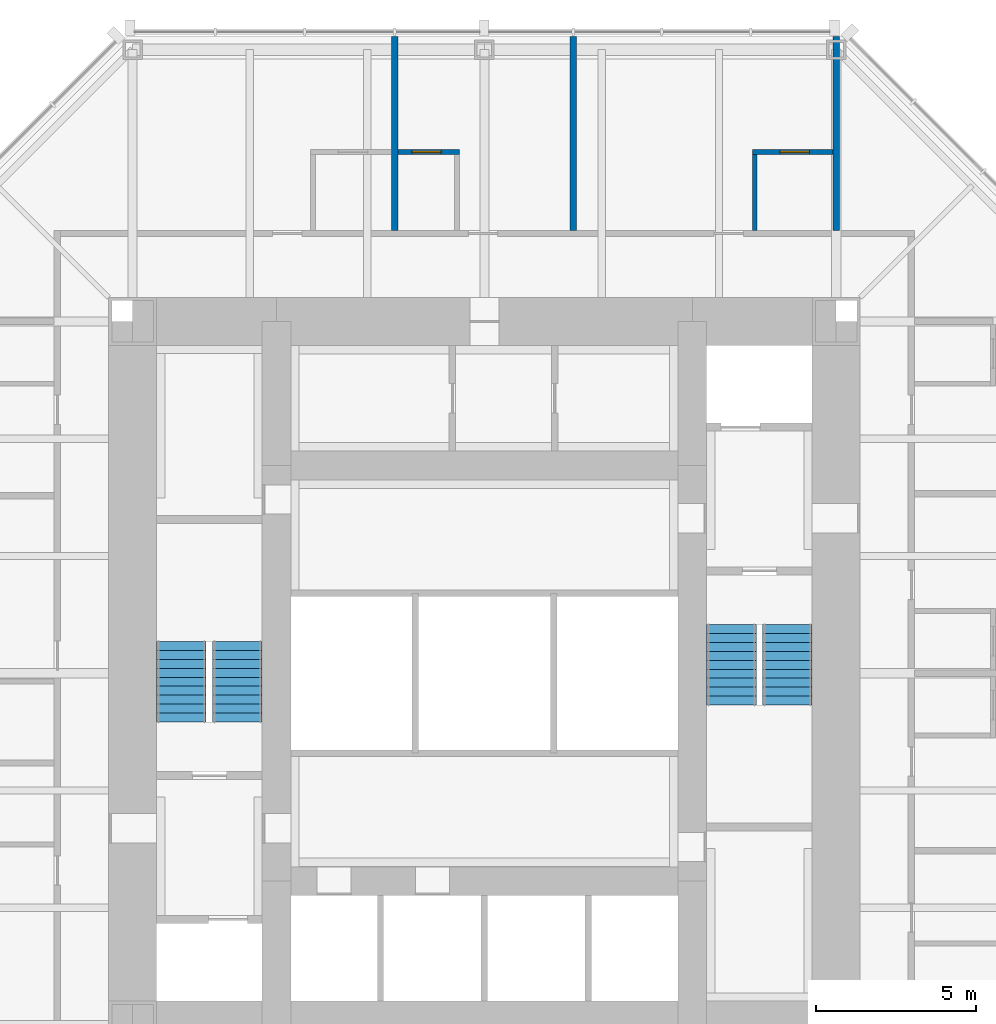
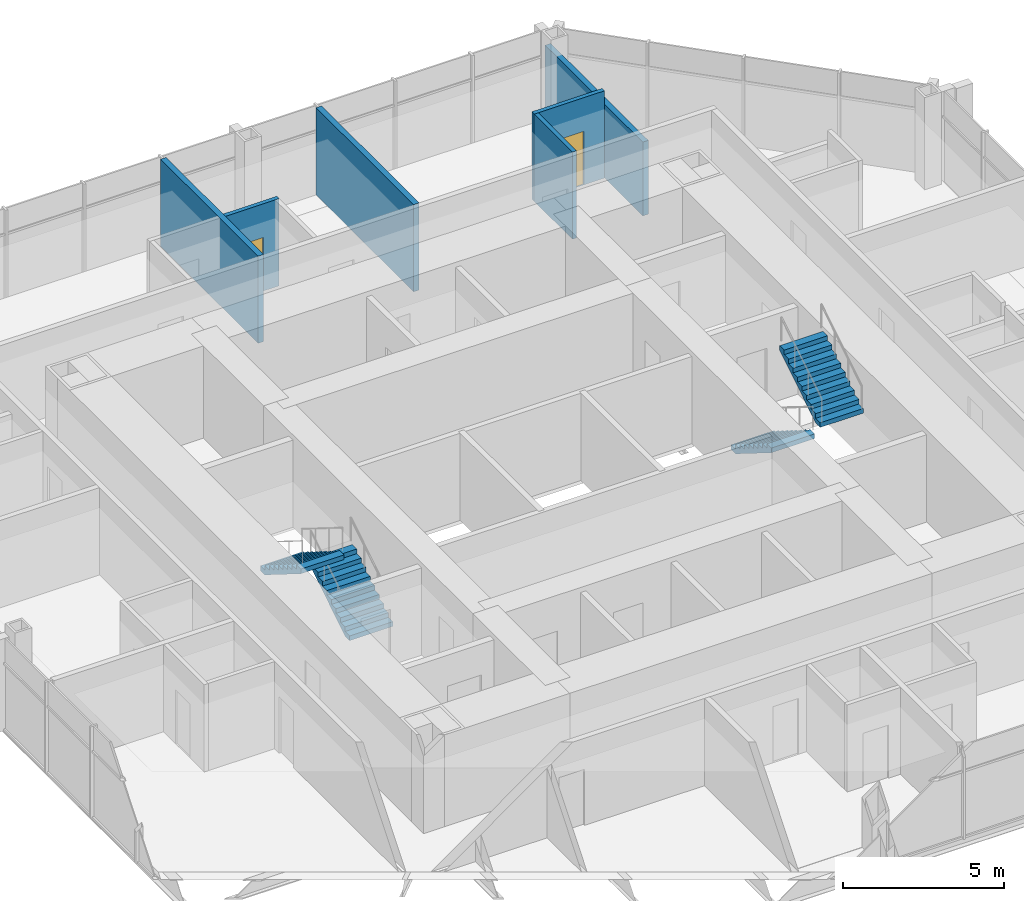
# One storey, part 10 of 11: 6 walls, 4 stair flights, 2 doors, 2 openings, 2 elements without a shape of their own.
"""IFC4 building model written with IfcOpenShell, lengths in metres."""

import ifcopenshell
import ifcopenshell.guid

model = None  # the IFC model being written
_history = None  # IfcOwnerHistory: only IFC2X3 demands one
_inside = {}  # id of a spatial element -> (the spatial element, [elements in it])
_under = {}  # id of a project, library or spatial element -> (it, [spatial elements below it])
_declared = {}  # id of a project -> (the project, [libraries it declares])
_typed = {}  # id of a type object -> (the type object, [elements of that type])
_made_of = {}  # id of a material, layer set ... -> (it, [elements and type objects made of it])


def new_model(schema):
    """Start an empty IFC model of exactly this schema.

    Asked for "IFC4X3", IfcOpenShell would pick the latest addendum, in which some entities
    have other attributes; the version numbers below select the first issue.
    IFC2X3 requires an IfcOwnerHistory on every rooted entity: one is made here for all.
    """
    global model, _history
    if schema == "IFC4X3":
        model = ifcopenshell.file(schema_version=(4, 3, 0, 0))
    else:
        model = ifcopenshell.file(schema=schema)
    _inside.clear()
    _under.clear()
    _declared.clear()
    _typed.clear()
    _made_of.clear()
    _history = None
    if model.schema == "IFC2X3":
        org = make("IfcOrganization", Name="unknown")
        user = make(
            "IfcPersonAndOrganization",
            ThePerson=make("IfcPerson", FamilyName="unknown"),
            TheOrganization=org,
        )
        app = make(
            "IfcApplication",
            ApplicationDeveloper=org,
            Version="unknown",
            ApplicationFullName="unknown",
            ApplicationIdentifier="unknown",
        )
        _history = make(
            "IfcOwnerHistory",
            OwningUser=user,
            OwningApplication=app,
            ChangeAction="ADDED",
            CreationDate=0,
        )
    return model


def make(cls, **values):
    """One entity of the class cls with the attributes given. An attribute that is None is left unset."""
    return model.create_entity(
        cls, **{name: value for name, value in values.items() if value is not None}
    )


def rooted(cls, **values):
    """An entity with a GlobalId (a new one), such as an element, a storey or a relation."""
    return make(cls, GlobalId=ifcopenshell.guid.new(), OwnerHistory=_history, **values)


def si_unit(unit_type, name, prefix=None):
    """IfcSIUnit, for example si_unit("LENGTHUNIT", "METRE", prefix="MILLI")."""
    return make("IfcSIUnit", UnitType=unit_type, Prefix=prefix, Name=name)


def assignment(units):
    """IfcUnitAssignment: the units of a project."""
    return None if units is None else make("IfcUnitAssignment", Units=units)


def point(xyz):
    """IfcCartesianPoint."""
    return None if xyz is None else make("IfcCartesianPoint", Coordinates=xyz)


def direction(xyz):
    """IfcDirection."""
    return None if xyz is None else make("IfcDirection", DirectionRatios=xyz)


def frame(location, z_axis=None, x_axis=None):
    """IfcAxis2Placement3D, a coordinate frame: its origin and axes. An axis left out is left unset."""
    return make(
        "IfcAxis2Placement3D",
        Location=point(location),
        Axis=direction(z_axis),
        RefDirection=direction(x_axis),
    )


def frame_2d(location, x_axis=None):
    """IfcAxis2Placement2D, a coordinate frame in the plane: its origin and x axis."""
    return make(
        "IfcAxis2Placement2D", Location=point(location), RefDirection=direction(x_axis)
    )


def origin():
    """The frame at (0, 0, 0) with its axes left unset."""
    return frame((0.0, 0.0, 0.0))


def place(relative_to, where):
    """IfcLocalPlacement: puts the frame where relative to a parent placement (None: the world)."""
    return make(
        "IfcLocalPlacement", PlacementRelTo=relative_to, RelativePlacement=where
    )


def context(
    kind, dimensions, precision=None, world=None, true_north=None, identifier=None
):
    """IfcGeometricRepresentationContext, for example the 3D "Model" context."""
    return make(
        "IfcGeometricRepresentationContext",
        ContextIdentifier=identifier,
        ContextType=kind,
        CoordinateSpaceDimension=dimensions,
        Precision=precision,
        WorldCoordinateSystem=world,
        TrueNorth=true_north,
    )


def subcontext(parent, identifier, kind, view, scale=None):
    """IfcGeometricRepresentationSubContext, for example "Body" below "Model"."""
    return make(
        "IfcGeometricRepresentationSubContext",
        ContextIdentifier=identifier,
        ContextType=kind,
        ParentContext=parent,
        TargetScale=scale,
        TargetView=view,
    )


def project(units=None, contexts=None):
    """IfcProject with its units and contexts."""
    return rooted(
        "IfcProject",
        Name="project",
        RepresentationContexts=contexts,
        UnitsInContext=assignment(units),
    )


def spatial(cls, under=None, at=None, **own):
    """A site, building, storey or space (cls), placed at a placement, below another one or the project."""
    s = rooted(cls, ObjectPlacement=at, **own)
    if under is not None:
        _under.setdefault(under.id(), (under, []))[1].append(s)
    return s


def polyline(points):
    """IfcPolyline through the points."""
    return make("IfcPolyline", Points=[point(p) for p in points])


def profile(cls, at=None, kind="AREA", **sizes):
    """A parametric profile (cls). Its sizes go by their IFC names, for example OverallWidth=200.0."""
    return make(cls, ProfileType=kind, Position=at, **sizes)


def rectangle(**sizes):
    """IfcRectangleProfileDef."""
    return profile("IfcRectangleProfileDef", **sizes)


def outline(outer, holes=None, kind="AREA"):
    """IfcArbitraryClosedProfileDef: a profile drawn as a closed curve; with holes, ...WithVoids."""
    if holes is None:
        return make("IfcArbitraryClosedProfileDef", ProfileType=kind, OuterCurve=outer)
    return make(
        "IfcArbitraryProfileDefWithVoids",
        ProfileType=kind,
        OuterCurve=outer,
        InnerCurves=holes,
    )


def extrude(swept, where, along, depth):
    """IfcExtrudedAreaSolid: the profile swept, set in the frame where, extruded along a direction by depth."""
    return make(
        "IfcExtrudedAreaSolid",
        SweptArea=swept,
        Position=where,
        ExtrudedDirection=direction(along),
        Depth=depth,
    )


def shape(context_of_items, identifier, shape_type, items):
    """IfcShapeRepresentation: the items that make up one representation, for example the "Body"."""
    return make(
        "IfcShapeRepresentation",
        ContextOfItems=context_of_items,
        RepresentationIdentifier=identifier,
        RepresentationType=shape_type,
        Items=items,
    )


def material(Name=None, Category=None):
    """IfcMaterial."""
    return make("IfcMaterial", Name=Name, Category=Category)


def layer(
    of_material, thickness, ventilated=None, Name=None, Category=None, Priority=None
):
    """IfcMaterialLayer: one layer of a wall or slab, of a material (None: an air gap)."""
    return make(
        "IfcMaterialLayer",
        Material=of_material,
        LayerThickness=thickness,
        IsVentilated=ventilated,
        Name=Name,
        Category=Category,
        Priority=Priority,
    )


def layer_set(layers, Name=None):
    """IfcMaterialLayerSet."""
    return make("IfcMaterialLayerSet", MaterialLayers=layers, LayerSetName=Name)


def made_of(thing, what):
    """Note that an element or type object is made of a material, layer set ...; save() writes the relation."""
    if what is not None:
        _made_of.setdefault(what.id(), (what, []))[1].append(thing)
    return thing


def type_object(cls, material=None, **own):
    """A type object (cls), such as IfcWallType, which elements share."""
    return made_of(rooted(cls, **own), material)


def element(
    cls,
    number,
    at=None,
    inside=None,
    cuts=None,
    type_object=None,
    material=None,
    context=None,
    identifier="Body",
    shape_type=None,
    held_by="IfcProductDefinitionShape",
    body=None,
    shapes=None,
    **own,
):
    """One element of the class cls, such as IfcWall. Its Tag is "e" and its number.

    at: its placement. inside: the storey or other place that contains it. cuts: it is an
    opening in that element (IfcRelVoidsElement). A single representation is given by context,
    identifier, shape_type and body (its items); several are given by shapes. held_by: the class
    of the entity that holds the representations. save() writes the other relations.
    """
    e = rooted(cls, Tag="e%d" % number, ObjectPlacement=at, **own)
    if body is not None:
        shapes = [shape(context, identifier, shape_type, body)]
    if shapes is not None:
        e.Representation = make(held_by, Representations=shapes)
    if inside is not None:
        _inside.setdefault(inside.id(), (inside, []))[1].append(e)
    if cuts is not None:
        rooted(
            "IfcRelVoidsElement", RelatingBuildingElement=cuts, RelatedOpeningElement=e
        )
    if type_object is not None:
        _typed.setdefault(type_object.id(), (type_object, []))[1].append(e)
    return made_of(e, material)


def fill(opening, filler):
    """IfcRelFillsElement: the door or window that sits in an opening."""
    return rooted(
        "IfcRelFillsElement",
        RelatingOpeningElement=opening,
        RelatedBuildingElement=filler,
    )


def aggregate(whole, parts):
    """IfcRelAggregates: a whole, such as a stair, and the parts it consists of."""
    return rooted("IfcRelAggregates", RelatingObject=whole, RelatedObjects=parts)


def save(model, path):
    """Write the relations noted so far, then the file.

    IfcRelAggregates (storeys below a building ...), IfcRelContainedInSpatialStructure (elements
    in a storey), IfcRelDefinesByType, IfcRelAssociatesMaterial and IfcRelDeclares: one each for
    every whole, place, type object, material and project.
    """
    for whole, parts in _under.values():
        aggregate(whole, parts)
    for where, things in _inside.values():
        rooted(
            "IfcRelContainedInSpatialStructure",
            RelatedElements=things,
            RelatingStructure=where,
        )
    for kind, things in _typed.values():
        rooted("IfcRelDefinesByType", RelatedObjects=things, RelatingType=kind)
    for what, things in _made_of.values():
        rooted("IfcRelAssociatesMaterial", RelatedObjects=things, RelatingMaterial=what)
    for by, libraries in _declared.values():
        rooted("IfcRelDeclares", RelatingContext=by, RelatedDefinitions=libraries)
    model.write(path)


model = new_model("IFC4")

# Units and contexts
model_context = context("Model", 3, precision=1e-05, world=origin(), true_north=direction((0.0, 1.0)))
body_context = subcontext(model_context, "Body", "Model", "MODEL_VIEW")
ifc_project = project(units=[si_unit("LENGTHUNIT", "METRE"), si_unit("AREAUNIT", "SQUARE_METRE"), si_unit("VOLUMEUNIT", "CUBIC_METRE"), si_unit("PLANEANGLEUNIT", "RADIAN"), si_unit("MASSUNIT", "GRAM", prefix="KILO")], contexts=[model_context])

# Site, building, storey
site_placement = place(None, origin())
site = spatial("IfcSite", under=ifc_project, at=site_placement, CompositionType="ELEMENT")
building_placement = place(site_placement, origin())
building = spatial("IfcBuilding", under=site, at=building_placement, Name="Trevanion Tower", CompositionType="ELEMENT")
storey_placement = place(building_placement, frame((0.0, 0.0, 211.699951171875)))
storey = spatial("IfcBuildingStorey", under=building, at=storey_placement, Name="L50", CompositionType="ELEMENT", Elevation=211.699951171875)

# Wall, opening, door
ifc_material_1 = material(Name="Gypsum board on steel studs", Category="steel")
ifc_layer_1 = layer(ifc_material_1, 0.14990234375)
ifc_layer_set_1 = layer_set([ifc_layer_1], Name="PT1 partition 150")
wall_type_1 = type_object("IfcWallType", Name="PT1 partition 150", PredefinedType="PARTITIONING", material=ifc_layer_set_1)
wall_1_placement = place(storey_placement, frame((10.89990234375, 16.300048828125, 0.0), z_axis=(0.0, 0.0, 1.0), x_axis=(-1.0, 0.0, 0.0)))
wall_1 = element("IfcWall", 1, at=wall_1_placement, inside=storey, type_object=wall_type_1, Name="PT1 L50 BA10", PredefinedType="PARTITIONING", context=body_context, shape_type="SweptSolid", body=[
    extrude(rectangle(XDim=2.52490234375, YDim=0.14990234375, at=frame_2d((1.262451171875, 0.0))), origin(), (0.0, 0.0, 1.0), 3.31005859375),
])
opening_1_placement = place(wall_1_placement, frame((0.742431640625, 0.0, 0.0)))
opening_1 = element("IfcOpeningElement", 2, at=opening_1_placement, cuts=wall_1, Name="Opening 50-024", PredefinedType="OPENING", context=body_context, shape_type="SweptSolid", body=[
    extrude(rectangle(XDim=0.9150390625, YDim=2.031982421875, at=frame_2d((0.45751953125, 1.01611328125))), frame((0.0, 0.0849609375, 0.0), z_axis=(0.0, -1.0, 0.0), x_axis=(1.0, 0.0, 0.0)), (0.0, 0.0, 1.0), 0.169921875),
])
ifc_material_2 = material(Name="Timber veneer", Category="wood")
door_type = type_object("IfcDoorType", Name="D7 bathroom door", OperationType="SINGLE_SWING_LEFT", PredefinedType="DOOR", material=ifc_material_2)
door_1_placement = place(opening_1_placement, origin())
door_1 = element("IfcDoor", 3, at=door_1_placement, inside=storey, type_object=door_type, Name="Door 50-024", OperationType="SINGLE_SWING_LEFT", OverallHeight=2.031982421875, OverallWidth=0.9150390625, PredefinedType="DOOR", context=body_context, shape_type="SweptSolid", body=[
    extrude(rectangle(XDim=0.9150390625, YDim=2.031982421875, at=frame_2d((0.45751953125, 1.01611328125))), frame((0.0, 0.02490234375, 0.0), z_axis=(0.0, -1.0, 0.0), x_axis=(1.0, 0.0, 0.0)), (0.0, 0.0, 1.0), 0.050048828125),
])
fill(opening_1, door_1)

# Wall
wall_2_placement = place(storey_placement, frame((8.449951171875, 13.85009765625, 0.0), z_axis=(0.0, 0.0, 1.0), x_axis=(0.0, 1.0, 0.0)))
element("IfcWall", 4, at=wall_2_placement, inside=storey, type_object=wall_type_1, Name="PT1 L50 BB10", PredefinedType="PARTITIONING", context=body_context, shape_type="SweptSolid", body=[
    extrude(rectangle(XDim=2.375, YDim=0.14990234375, at=frame_2d((1.1875, 0.0))), origin(), (0.0, 0.0, 1.0), 3.31005859375),
])

# Wall, opening, door
wall_3_placement = place(storey_placement, frame((-0.781982421875, 16.300048828125, 0.0), z_axis=(0.0, 0.0, 1.0), x_axis=(-1.0, 0.0, 0.0)))
wall_3 = element("IfcWall", 5, at=wall_3_placement, inside=storey, type_object=wall_type_1, Name="PT1 L50 BA11", PredefinedType="PARTITIONING", context=body_context, shape_type="SweptSolid", body=[
    extrude(rectangle(XDim=1.925048828125, YDim=0.14990234375, at=frame_2d((0.96240234375, 0.0))), origin(), (0.0, 0.0, 1.0), 3.31005859375),
])
opening_2_placement = place(wall_3_placement, frame((0.5673828125, 0.0, 0.0)))
opening_2 = element("IfcOpeningElement", 6, at=opening_2_placement, cuts=wall_3, Name="Opening 50-026", PredefinedType="OPENING", context=body_context, shape_type="SweptSolid", body=[
    extrude(rectangle(XDim=0.9150390625, YDim=2.031982421875, at=frame_2d((0.45751953125, 1.01611328125))), frame((0.0, 0.0849609375, 0.0), z_axis=(0.0, -1.0, 0.0), x_axis=(1.0, 0.0, 0.0)), (0.0, 0.0, 1.0), 0.169921875),
])
door_2_placement = place(opening_2_placement, origin())
door_2 = element("IfcDoor", 7, at=door_2_placement, inside=storey, type_object=door_type, Name="Door 50-026", OperationType="SINGLE_SWING_LEFT", OverallHeight=2.031982421875, OverallWidth=0.9150390625, PredefinedType="DOOR", context=body_context, shape_type="SweptSolid", body=[
    extrude(rectangle(XDim=0.9150390625, YDim=2.031982421875, at=frame_2d((0.45751953125, 1.01611328125))), frame((0.0, 0.02490234375, 0.0), z_axis=(0.0, -1.0, 0.0), x_axis=(1.0, 0.0, 0.0)), (0.0, 0.0, 1.0), 0.050048828125),
])
fill(opening_2, door_2)

# Walls
ifc_material_3 = material(Name="Concrete masonry, grouted", Category="masonry")
ifc_layer_2 = layer(ifc_material_3, 0.199951171875)
ifc_layer_set_2 = layer_set([ifc_layer_2], Name="PT2 partition 200 1 HR")
wall_type_2 = type_object("IfcWallType", Name="PT2 partition 200 1 HR", PredefinedType="PARTITIONING", material=ifc_layer_set_2)
wall_4_placement = place(storey_placement, frame((11.0, 13.85009765625, 0.0), z_axis=(0.0, 0.0, 1.0), x_axis=(0.0, 1.0, 0.0)))
element("IfcWall", 8, at=wall_4_placement, inside=storey, type_object=wall_type_2, Name="PT2 L50 HD10", PredefinedType="PARTITIONING", context=body_context, shape_type="SweptSolid", body=[
    extrude(rectangle(XDim=6.06494140625, YDim=0.199951171875, at=frame_2d((3.032470703125, 0.0))), origin(), (0.0, 0.0, 1.0), 2.802001953125),
])
for number, where, z_axis, x_axis, name in (
    (9, (2.77490234375, 13.85009765625, 0.0), (0.0, 0.0, 1.0), (0.0, 1.0, 0.0), "PT2 L50 HD11"),
    (10, (-2.806884765625, 13.85009765625, 0.0), (0.0, 0.0, 1.0), (0.0, 1.0, 0.0), "PT2 L50 HD12"),
):
    element("IfcWall", number, at=place(storey_placement, frame(where, z_axis=z_axis, x_axis=x_axis)), inside=storey, type_object=wall_type_2, Name=name, PredefinedType="PARTITIONING", context=body_context, shape_type="SweptSolid", body=[
        extrude(rectangle(XDim=6.06494140625, YDim=0.199951171875, at=frame_2d((3.032470703125, 0.0))), origin(), (0.0, 0.0, 1.0), 3.31005859375),
    ])

# Stair, stair flights
ifc_material_4 = material(Name="Concrete 5,000 psi on steel stringers", Category="concrete")
stair_type = type_object("IfcStairType", Name="ST stair", PredefinedType="HALF_TURN_STAIR", material=ifc_material_4)
stair_1_placement = place(storey_placement, origin())
stair_1 = element("IfcStair", 11, at=stair_1_placement, inside=storey, type_object=stair_type, Name="ST1 L50", PredefinedType="HALF_TURN_STAIR")
ifc_material_5 = material(Name="Concrete 5,000 psi in steel pan", Category="concrete")
stair_flight_type = type_object("IfcStairFlightType", Name="STF stair flight", PredefinedType="STRAIGHT", material=ifc_material_5)
stair_flight_1_placement = place(storey_placement, frame((7.72509765625, 1.52490234375, 0.0), z_axis=(0.0, 0.0, 1.0), x_axis=(0.0, -1.0, 0.0)))
stair_flight_1 = element("IfcStairFlight", 12, at=stair_flight_1_placement, type_object=stair_flight_type, Name="ST1 flight 1", NumberOfRisers=10, NumberOfTreads=9, PredefinedType="STRAIGHT", RiserHeight=0.175, TreadLength=0.28, context=body_context, shape_type="SweptSolid", body=[
    extrude(outline(polyline([(0.0, 0.0), (0.0, 0.175048828125), (0.280029296875, 0.175048828125), (0.280029296875, 0.35009765625), (0.56005859375, 0.35009765625), (0.56005859375, 0.52490234375), (0.840087890625, 0.52490234375), (0.840087890625, 0.699951171875), (1.1201171875, 0.699951171875), (1.1201171875, 0.875), (1.39990234375, 0.875), (1.39990234375, 1.050048828125), (1.679931640625, 1.050048828125), (1.679931640625, 1.22509765625), (1.9599609375, 1.22509765625), (1.9599609375, 1.39990234375), (2.239990234375, 1.39990234375), (2.239990234375, 1.574951171875), (2.52001953125, 1.574951171875), (2.52001953125, 1.75), (2.52001953125, 1.398193359375), (0.28271484375, 0.0), (0.0, 0.0)])), frame((0.0, 0.77490234375, 0.0), z_axis=(0.0, -1.0, 0.0), x_axis=(1.0, 0.0, 0.0)), (0.0, 0.0, 1.0), 1.550048828125),
])
stair_flight_2_placement = place(storey_placement, frame((9.47509765625, -0.9951171875, 1.75), z_axis=(0.0, 0.0, 1.0), x_axis=(0.0, 1.0, 0.0)))
stair_flight_2 = element("IfcStairFlight", 13, at=stair_flight_2_placement, type_object=stair_flight_type, Name="ST1 flight 2", NumberOfRisers=10, NumberOfTreads=9, PredefinedType="STRAIGHT", RiserHeight=0.175, TreadLength=0.28, context=body_context, shape_type="SweptSolid", body=[
    extrude(outline(polyline([(0.0, 0.0), (0.0, 0.175048828125), (0.280029296875, 0.175048828125), (0.280029296875, 0.35009765625), (0.56005859375, 0.35009765625), (0.56005859375, 0.52490234375), (0.840087890625, 0.52490234375), (0.840087890625, 0.699951171875), (1.1201171875, 0.699951171875), (1.1201171875, 0.875), (1.39990234375, 0.875), (1.39990234375, 1.050048828125), (1.679931640625, 1.050048828125), (1.679931640625, 1.22509765625), (1.9599609375, 1.22509765625), (1.9599609375, 1.39990234375), (2.239990234375, 1.39990234375), (2.239990234375, 1.574951171875), (2.52001953125, 1.574951171875), (2.52001953125, 1.75), (2.52001953125, 1.398193359375), (0.28271484375, 0.0), (0.0, 0.0)])), frame((0.0, 0.77490234375, 0.0), z_axis=(0.0, -1.0, 0.0), x_axis=(1.0, 0.0, 0.0)), (0.0, 0.0, 1.0), 1.550048828125),
])
aggregate(stair_1, [stair_flight_1, stair_flight_2])

stair_2_placement = place(storey_placement, origin())
stair_2 = element("IfcStair", 14, at=stair_2_placement, inside=storey, type_object=stair_type, Name="ST2 L50", PredefinedType="HALF_TURN_STAIR")
stair_flight_3_placement = place(storey_placement, frame((-7.72509765625, -1.52490234375, 0.0), z_axis=(0.0, 0.0, 1.0), x_axis=(0.0, 1.0, 0.0)))
stair_flight_3 = element("IfcStairFlight", 15, at=stair_flight_3_placement, type_object=stair_flight_type, Name="ST2 flight 1", NumberOfRisers=10, NumberOfTreads=9, PredefinedType="STRAIGHT", RiserHeight=0.175, TreadLength=0.28, context=body_context, shape_type="SweptSolid", body=[
    extrude(outline(polyline([(0.0, 0.0), (0.0, 0.175048828125), (0.280029296875, 0.175048828125), (0.280029296875, 0.35009765625), (0.56005859375, 0.35009765625), (0.56005859375, 0.52490234375), (0.840087890625, 0.52490234375), (0.840087890625, 0.699951171875), (1.1201171875, 0.699951171875), (1.1201171875, 0.875), (1.39990234375, 0.875), (1.39990234375, 1.050048828125), (1.679931640625, 1.050048828125), (1.679931640625, 1.22509765625), (1.9599609375, 1.22509765625), (1.9599609375, 1.39990234375), (2.239990234375, 1.39990234375), (2.239990234375, 1.574951171875), (2.52001953125, 1.574951171875), (2.52001953125, 1.75), (2.52001953125, 1.398193359375), (0.28271484375, 0.0), (0.0, 0.0)])), frame((0.0, 0.77490234375, 0.0), z_axis=(0.0, -1.0, 0.0), x_axis=(1.0, 0.0, 0.0)), (0.0, 0.0, 1.0), 1.550048828125),
])
stair_flight_4_placement = place(storey_placement, frame((-9.47509765625, 0.9951171875, 1.75), z_axis=(0.0, 0.0, 1.0), x_axis=(0.0, -1.0, 0.0)))
stair_flight_4 = element("IfcStairFlight", 16, at=stair_flight_4_placement, type_object=stair_flight_type, Name="ST2 flight 2", NumberOfRisers=10, NumberOfTreads=9, PredefinedType="STRAIGHT", RiserHeight=0.175, TreadLength=0.28, context=body_context, shape_type="SweptSolid", body=[
    extrude(outline(polyline([(0.0, 0.0), (0.0, 0.175048828125), (0.280029296875, 0.175048828125), (0.280029296875, 0.35009765625), (0.56005859375, 0.35009765625), (0.56005859375, 0.52490234375), (0.840087890625, 0.52490234375), (0.840087890625, 0.699951171875), (1.1201171875, 0.699951171875), (1.1201171875, 0.875), (1.39990234375, 0.875), (1.39990234375, 1.050048828125), (1.679931640625, 1.050048828125), (1.679931640625, 1.22509765625), (1.9599609375, 1.22509765625), (1.9599609375, 1.39990234375), (2.239990234375, 1.39990234375), (2.239990234375, 1.574951171875), (2.52001953125, 1.574951171875), (2.52001953125, 1.75), (2.52001953125, 1.398193359375), (0.28271484375, 0.0), (0.0, 0.0)])), frame((0.0, 0.77490234375, 0.0), z_axis=(0.0, -1.0, 0.0), x_axis=(1.0, 0.0, 0.0)), (0.0, 0.0, 1.0), 1.550048828125),
])
aggregate(stair_2, [stair_flight_3, stair_flight_4])

save(model, "model.ifc")
